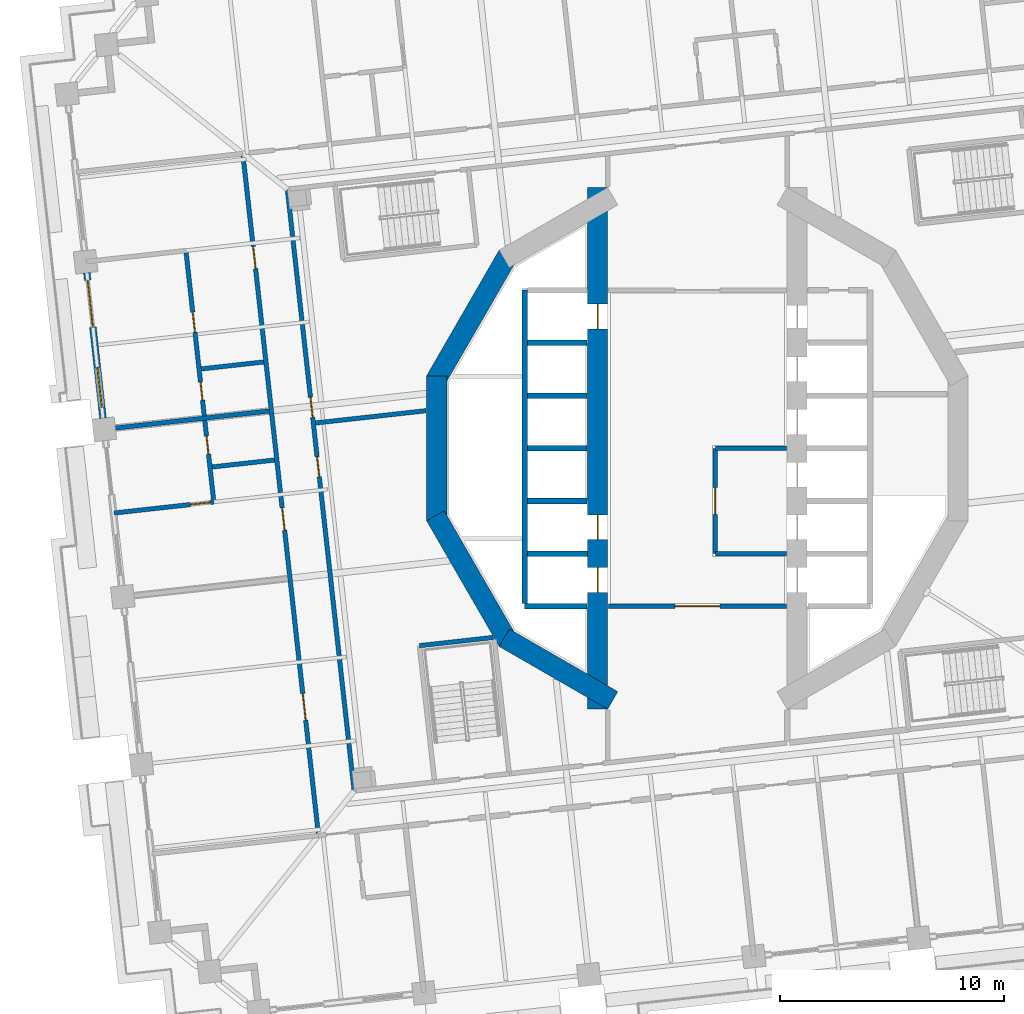
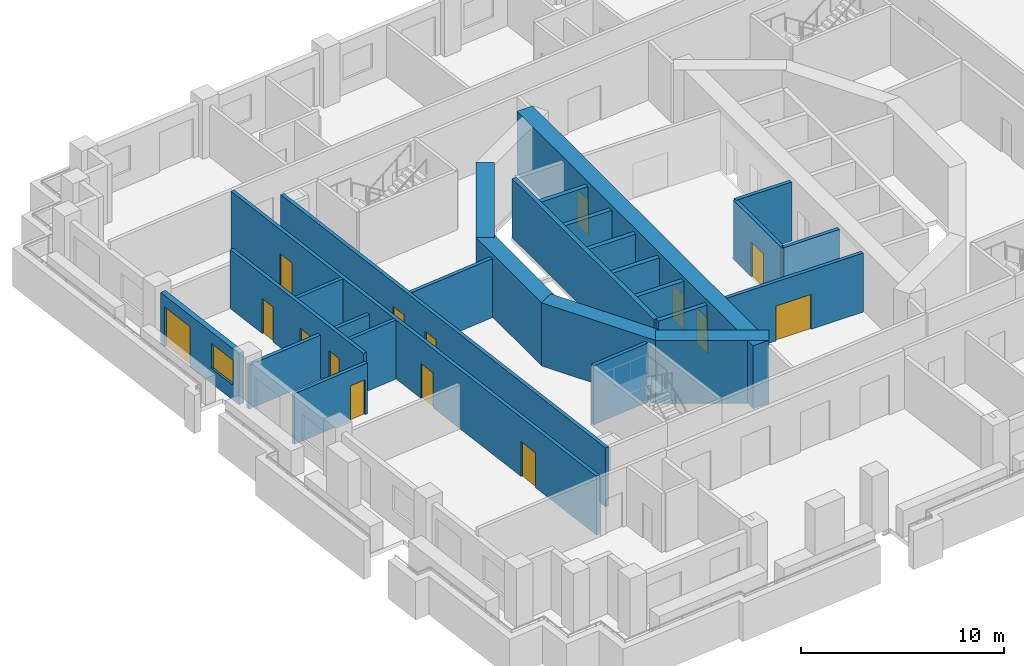
# One storey, part 5 of 18: 26 walls, 15 doors, 1 window, 16 openings.
"""IFC4 building model written with IfcOpenShell, lengths in metres."""

from ifc_helpers import new_model, si_unit, direction, frame, frame_2d, origin, place, context, subcontext, project, spatial, rectangle, extrude, material, layer, layer_set, type_object, element, fill, save


model = new_model("IFC4")

# Units and contexts
model_context = context("Model", 3, precision=1e-05, world=origin(), true_north=direction((0.0, 1.0)))
body_context = subcontext(model_context, "Body", "Model", "MODEL_VIEW")
ifc_project = project(units=[si_unit("LENGTHUNIT", "METRE"), si_unit("AREAUNIT", "SQUARE_METRE"), si_unit("VOLUMEUNIT", "CUBIC_METRE"), si_unit("PLANEANGLEUNIT", "RADIAN"), si_unit("MASSUNIT", "GRAM", prefix="KILO")], contexts=[model_context])

# Site, building, storey
site_placement = place(None, origin())
site = spatial("IfcSite", under=ifc_project, at=site_placement, CompositionType="ELEMENT")
building_placement = place(site_placement, origin())
building = spatial("IfcBuilding", under=site, at=building_placement, Name="Cantera Rosa Tower", CompositionType="ELEMENT")
storey_placement = place(building_placement, frame((0.0, 0.0, 76.699951171875)))
storey = spatial("IfcBuildingStorey", under=building, at=storey_placement, Name="L16", CompositionType="ELEMENT", Elevation=76.699951171875)

# Wall, openings, doors
ifc_material_1 = material(Name="Gypsum board partition")
ifc_layer_1 = layer(ifc_material_1, 0.199951171875)
ifc_layer_set_1 = layer_set([ifc_layer_1], Name="CORRIDOR WALL 200 H3550")
wall_type_1 = type_object("IfcWallType", Name="CORRIDOR WALL 200 H3550", PredefinedType="PARTITIONING", material=ifc_layer_set_1)
wall_1_placement = place(storey_placement, frame((-20.2626953125, 13.04443359375, 0.0), z_axis=(0.0, 0.0, 1.0), x_axis=(0.110312530755, -0.993896949164, 0.0)))
wall_1 = element("IfcWall", 1, at=wall_1_placement, inside=storey, type_object=wall_type_1, Name="CORRIDOR WALL L16-007", PredefinedType="PARTITIONING", context=body_context, shape_type="SweptSolid", body=[
    extrude(rectangle(XDim=30.400146484375, YDim=0.199951171875, at=frame_2d((15.2001953125, 0.0))), origin(), (0.0, 0.0, 1.0), 3.550048828125),
])
opening_1_placement = place(wall_1_placement, frame((24.1298828125, 0.0, 0.0)))
opening_1 = element("IfcOpeningElement", 2, at=opening_1_placement, cuts=wall_1, Name="Opening L16-030", PredefinedType="OPENING", context=body_context, shape_type="SweptSolid", body=[
    extrude(rectangle(XDim=1.199951171875, YDim=2.10009765625, at=frame_2d((0.60009765625, 1.050048828125))), frame((0.0, 0.10986328125, 0.0), z_axis=(0.0, -1.0, 0.0), x_axis=(1.0, 0.0, 0.0)), (0.0, 0.0, 1.0), 0.219970703125),
])
opening_2_placement = place(wall_1_placement, frame((4.070068359375, 0.0, 0.0)))
opening_2 = element("IfcOpeningElement", 3, at=opening_2_placement, cuts=wall_1, Name="Opening L16-031", PredefinedType="OPENING", context=body_context, shape_type="SweptSolid", body=[
    extrude(rectangle(XDim=1.0, YDim=2.10009765625, at=frame_2d((0.5, 1.050048828125))), frame((0.0, 0.10986328125, 0.0), z_axis=(0.0, -1.0, 0.0), x_axis=(1.0, 0.0, 0.0)), (0.0, 0.0, 1.0), 0.219970703125),
])
opening_3_placement = place(wall_1_placement, frame((15.800048828125, 0.0, 0.0)))
opening_3 = element("IfcOpeningElement", 4, at=opening_3_placement, cuts=wall_1, Name="Opening L16-034", PredefinedType="OPENING", context=body_context, shape_type="SweptSolid", body=[
    extrude(rectangle(XDim=1.0, YDim=2.10009765625, at=frame_2d((0.5, 1.050048828125))), frame((0.0, 0.10986328125, 0.0), z_axis=(0.0, -1.0, 0.0), x_axis=(1.0, 0.0, 0.0)), (0.0, 0.0, 1.0), 0.219970703125),
])
ifc_material_2 = material(Name="Timber door leaf", Category="wood")
door_type_1 = type_object("IfcDoorType", Name="ENTRANCE DOOR 1000x2100", OperationType="NOTDEFINED", PredefinedType="DOOR", material=ifc_material_2)
door_1_placement = place(opening_2_placement, origin())
door_1 = element("IfcDoor", 5, at=door_1_placement, inside=storey, type_object=door_type_1, Name="DOOR L16-031", OperationType="NOTDEFINED", OverallHeight=2.10009765625, OverallWidth=1.0, PredefinedType="DOOR", context=body_context, shape_type="SweptSolid", body=[
    extrude(rectangle(XDim=1.0, YDim=2.10009765625, at=frame_2d((0.5, 1.050048828125))), frame((0.0, 0.02490234375, 0.0), z_axis=(0.0, -1.0, 0.0), x_axis=(1.0, 0.0, 0.0)), (0.0, 0.0, 1.0), 0.050048828125),
])
fill(opening_2, door_1)
door_2_placement = place(opening_3_placement, origin())
door_2 = element("IfcDoor", 6, at=door_2_placement, inside=storey, type_object=door_type_1, Name="DOOR L16-034", OperationType="NOTDEFINED", OverallHeight=2.10009765625, OverallWidth=1.0, PredefinedType="DOOR", context=body_context, shape_type="SweptSolid", body=[
    extrude(rectangle(XDim=1.0, YDim=2.10009765625, at=frame_2d((0.5, 1.050048828125))), frame((0.0, 0.02490234375, 0.0), z_axis=(0.0, -1.0, 0.0), x_axis=(1.0, 0.0, 0.0)), (0.0, 0.0, 1.0), 0.050048828125),
])
fill(opening_3, door_2)
ifc_material_3 = material(Name="Timber door leaf", Category="wood")
door_type_2 = type_object("IfcDoorType", Name="ROOM DOOR 1200x2100", OperationType="NOTDEFINED", PredefinedType="DOOR", material=ifc_material_3)
door_3_placement = place(opening_1_placement, origin())
door_3 = element("IfcDoor", 7, at=door_3_placement, inside=storey, type_object=door_type_2, Name="DOOR L16-030", OperationType="NOTDEFINED", OverallHeight=2.10009765625, OverallWidth=1.199951171875, PredefinedType="DOOR", context=body_context, shape_type="SweptSolid", body=[
    extrude(rectangle(XDim=1.199951171875, YDim=2.10009765625, at=frame_2d((0.60009765625, 1.050048828125))), frame((0.0, 0.02490234375, 0.0), z_axis=(0.0, -1.0, 0.0), x_axis=(1.0, 0.0, 0.0)), (0.0, 0.0, 1.0), 0.050048828125),
])
fill(opening_1, door_3)

wall_2_placement = place(storey_placement, frame((-18.2861328125, 11.55322265625, 0.0), z_axis=(0.0, 0.0, 1.0), x_axis=(0.110315409641, -0.993896629633, 0.0)))
wall_2 = element("IfcWall", 8, at=wall_2_placement, inside=storey, type_object=wall_type_1, Name="CORRIDOR WALL L16-010", PredefinedType="PARTITIONING", context=body_context, shape_type="SweptSolid", body=[
    extrude(rectangle(XDim=27.0, YDim=0.199951171875, at=frame_2d((13.5, 0.0))), origin(), (0.0, 0.0, 1.0), 3.550048828125),
])
opening_4_placement = place(wall_2_placement, frame((9.330078125, 0.0, 0.0)))
opening_4 = element("IfcOpeningElement", 9, at=opening_4_placement, cuts=wall_2, Name="Opening L16-006", PredefinedType="OPENING", context=body_context, shape_type="SweptSolid", body=[
    extrude(rectangle(XDim=0.89990234375, YDim=2.10009765625, at=frame_2d((0.449951171875, 1.050048828125))), frame((0.0, 0.10986328125, 0.0), z_axis=(0.0, -1.0, 0.0), x_axis=(1.0, 0.0, 0.0)), (0.0, 0.0, 1.0), 0.219970703125),
])
opening_5_placement = place(wall_2_placement, frame((12.0, 0.0, 0.0)))
opening_5 = element("IfcOpeningElement", 10, at=opening_5_placement, cuts=wall_2, Name="Opening L16-007", PredefinedType="OPENING", context=body_context, shape_type="SweptSolid", body=[
    extrude(rectangle(XDim=0.89990234375, YDim=2.10009765625, at=frame_2d((0.449951171875, 1.050048828125))), frame((0.0, 0.10986328125, 0.0), z_axis=(0.0, -1.0, 0.0), x_axis=(1.0, 0.0, 0.0)), (0.0, 0.0, 1.0), 0.219970703125),
])
ifc_material_4 = material(Name="Timber door leaf", Category="wood")
door_type_3 = type_object("IfcDoorType", Name="SERVICE DOOR 900x2100", OperationType="NOTDEFINED", PredefinedType="DOOR", material=ifc_material_4)
door_4_placement = place(opening_4_placement, origin())
door_4 = element("IfcDoor", 11, at=door_4_placement, inside=storey, type_object=door_type_3, Name="DOOR L16-006", OperationType="NOTDEFINED", OverallHeight=2.10009765625, OverallWidth=0.89990234375, PredefinedType="DOOR", context=body_context, shape_type="SweptSolid", body=[
    extrude(rectangle(XDim=0.89990234375, YDim=2.10009765625, at=frame_2d((0.449951171875, 1.050048828125))), frame((0.0, 0.02490234375, 0.0), z_axis=(0.0, -1.0, 0.0), x_axis=(1.0, 0.0, 0.0)), (0.0, 0.0, 1.0), 0.050048828125),
])
fill(opening_4, door_4)
door_5_placement = place(opening_5_placement, origin())
door_5 = element("IfcDoor", 12, at=door_5_placement, inside=storey, type_object=door_type_3, Name="DOOR L16-007", OperationType="NOTDEFINED", OverallHeight=2.10009765625, OverallWidth=0.89990234375, PredefinedType="DOOR", context=body_context, shape_type="SweptSolid", body=[
    extrude(rectangle(XDim=0.89990234375, YDim=2.10009765625, at=frame_2d((0.449951171875, 1.050048828125))), frame((0.0, 0.02490234375, 0.0), z_axis=(0.0, -1.0, 0.0), x_axis=(1.0, 0.0, 0.0)), (0.0, 0.0, 1.0), 0.050048828125),
])
fill(opening_5, door_5)

# Wall, opening, door
wall_3_placement = place(storey_placement, frame((3.969970703125, -7.050048828125, 0.0), z_axis=(0.0, 0.0, 1.0), x_axis=(-1.0, 0.0, 0.0)))
wall_3 = element("IfcWall", 13, at=wall_3_placement, inside=storey, type_object=wall_type_1, Name="CORRIDOR WALL L16-056", PredefinedType="PARTITIONING", context=body_context, shape_type="SweptSolid", body=[
    extrude(rectangle(XDim=7.93994140625, YDim=0.199951171875, at=frame_2d((3.969970703125, 0.0))), origin(), (0.0, 0.0, 1.0), 3.550048828125),
])
opening_6_placement = place(wall_3_placement, frame((2.969970703125, 0.0, 0.0)))
opening_6 = element("IfcOpeningElement", 14, at=opening_6_placement, cuts=wall_3, Name="Opening L16-013", PredefinedType="OPENING", context=body_context, shape_type="SweptSolid", body=[
    extrude(rectangle(XDim=2.0, YDim=2.10009765625, at=frame_2d((1.0, 1.050048828125))), frame((0.0, 0.10986328125, 0.0), z_axis=(0.0, -1.0, 0.0), x_axis=(1.0, 0.0, 0.0)), (0.0, 0.0, 1.0), 0.219970703125),
])
ifc_material_5 = material(Name="Steel S355J2 (EN 10025-2)", Category="steel")
door_type_4 = type_object("IfcDoorType", Name="LOBBY SCREEN DOOR 2000x2100", OperationType="NOTDEFINED", PredefinedType="DOOR", material=ifc_material_5)
door_6_placement = place(opening_6_placement, origin())
door_6 = element("IfcDoor", 15, at=door_6_placement, inside=storey, type_object=door_type_4, Name="DOOR L16-013", OperationType="NOTDEFINED", OverallHeight=2.10009765625, OverallWidth=2.0, PredefinedType="DOOR", context=body_context, shape_type="SweptSolid", body=[
    extrude(rectangle(XDim=2.0, YDim=2.10009765625, at=frame_2d((1.0, 1.050048828125))), frame((0.0, 0.02490234375, 0.0), z_axis=(0.0, -1.0, 0.0), x_axis=(1.0, 0.0, 0.0)), (0.0, 0.0, 1.0), 0.050048828125),
])
fill(opening_6, door_6)

# Wall, openings, window, door
ifc_material_6 = material(Name="Hollow clay masonry with cantera stone cladding", Category="masonry")
ifc_layer_2 = layer(ifc_material_6, 0.300048828125)
ifc_layer_set_2 = layer_set([ifc_layer_2], Name="EW-LOGGIA 300 H3090")
wall_type_2 = type_object("IfcWallType", Name="EW-LOGGIA 300 H3090", PredefinedType="SOLIDWALL", material=ifc_layer_set_2)
wall_4_placement = place(storey_placement, frame((-27.229248046875, 7.823974609375, 0.0), z_axis=(0.0, 0.0, 1.0), x_axis=(0.110312341265, -0.993896970196, 0.0)))
wall_4 = element("IfcWall", 16, at=wall_4_placement, inside=storey, type_object=wall_type_2, Name="EN-L16-W17", PredefinedType="SOLIDWALL", context=body_context, shape_type="SweptSolid", body=[
    extrude(rectangle(XDim=6.52001953125, YDim=0.300048828125, at=frame_2d((3.260009765625, 0.0))), origin(), (0.0, 0.0, 1.0), 3.090087890625),
])
opening_7_placement = place(wall_4_placement, frame((0.330078125, 0.0, 0.0)))
opening_7 = element("IfcOpeningElement", 17, at=opening_7_placement, cuts=wall_4, Name="Opening L16-TD25", PredefinedType="OPENING", context=body_context, shape_type="SweptSolid", body=[
    extrude(rectangle(XDim=2.10009765625, YDim=2.39990234375, at=frame_2d((1.050048828125, 1.199951171875))), frame((0.0, 0.159912109375, 0.0), z_axis=(0.0, -1.0, 0.0), x_axis=(1.0, 0.0, 0.0)), (0.0, 0.0, 1.0), 0.320068359375),
])
opening_8_placement = place(wall_4_placement, frame((4.239990234375, 0.0, 0.89990234375)))
opening_8 = element("IfcOpeningElement", 18, at=opening_8_placement, cuts=wall_4, Name="Opening L16-W26", PredefinedType="OPENING", context=body_context, shape_type="SweptSolid", body=[
    extrude(rectangle(XDim=1.800048828125, YDim=1.5, at=frame_2d((0.89990234375, 0.75))), frame((0.0, 0.159912109375, 0.0), z_axis=(0.0, -1.0, 0.0), x_axis=(1.0, 0.0, 0.0)), (0.0, 0.0, 1.0), 0.320068359375),
])
ifc_material_7 = material(Name="Aluminium frame with clear glass", Category="aluminium")
window_type = type_object("IfcWindowType", Name="Hotel room window 1800x1500", PartitioningType="DOUBLE_PANEL_VERTICAL", PredefinedType="WINDOW", material=ifc_material_7)
window_placement = place(opening_8_placement, origin())
window = element("IfcWindow", 19, at=window_placement, inside=storey, type_object=window_type, Name="WINDOW L16-W26", OverallHeight=1.5, OverallWidth=1.800048828125, PartitioningType="SINGLE_PANEL", PredefinedType="WINDOW", context=body_context, shape_type="SweptSolid", body=[
    extrude(rectangle(XDim=1.800048828125, YDim=1.5, at=frame_2d((0.89990234375, 0.75))), frame((0.0, 0.030029296875, 0.0), z_axis=(0.0, -1.0, 0.0), x_axis=(1.0, 0.0, 0.0)), (0.0, 0.0, 1.0), 0.06005859375),
])
fill(opening_8, window)
ifc_material_8 = material(Name="Aluminium frame with clear glass", Category="aluminium")
door_type_5 = type_object("IfcDoorType", Name="TD-H 2100x2400", OperationType="NOTDEFINED", PredefinedType="DOOR", material=ifc_material_8)
door_7_placement = place(opening_7_placement, origin())
door_7 = element("IfcDoor", 20, at=door_7_placement, inside=storey, type_object=door_type_5, Name="LOGGIA DOOR L16-TD25", OperationType="SLIDING_TO_LEFT", OverallHeight=2.39990234375, OverallWidth=2.10009765625, PredefinedType="DOOR", context=body_context, shape_type="SweptSolid", body=[
    extrude(rectangle(XDim=2.10009765625, YDim=2.39990234375, at=frame_2d((1.050048828125, 1.199951171875))), frame((0.0, 0.02490234375, 0.0), z_axis=(0.0, -1.0, 0.0), x_axis=(1.0, 0.0, 0.0)), (0.0, 0.0, 1.0), 0.050048828125),
])
fill(opening_7, door_7)

# Wall, opening, door
ifc_material_9 = material(Name="Gypsum board partition")
ifc_layer_3 = layer(ifc_material_9, 0.199951171875)
ifc_layer_set_3 = layer_set([ifc_layer_3], Name="PARTITION 200 H3050")
wall_type_3 = type_object("IfcWallType", Name="PARTITION 200 H3050", PredefinedType="PARTITIONING", material=ifc_layer_set_3)
wall_5_placement = place(storey_placement, frame((-21.567626953125, -2.393798828125, 0.0), z_axis=(0.0, 0.0, 1.0), x_axis=(-0.993895052822, -0.11032961514, 0.0)))
wall_5 = element("IfcWall", 21, at=wall_5_placement, inside=storey, type_object=wall_type_3, Name="PARTITION L16-005", PredefinedType="PARTITIONING", context=body_context, shape_type="SweptSolid", body=[
    extrude(rectangle(XDim=4.469970703125, YDim=0.199951171875, at=frame_2d((2.23486328125, 0.0))), origin(), (0.0, 0.0, 1.0), 3.050048828125),
])
opening_9_placement = place(wall_5_placement, frame((0.14990234375, 0.0, 0.0)))
opening_9 = element("IfcOpeningElement", 22, at=opening_9_placement, cuts=wall_5, Name="Opening L16-035", PredefinedType="OPENING", context=body_context, shape_type="SweptSolid", body=[
    extrude(rectangle(XDim=0.89990234375, YDim=2.10009765625, at=frame_2d((0.449951171875, 1.050048828125))), frame((0.0, 0.10986328125, 0.0), z_axis=(0.0, -1.0, 0.0), x_axis=(1.0, 0.0, 0.0)), (0.0, 0.0, 1.0), 0.219970703125),
])
ifc_material_10 = material(Name="Timber door leaf", Category="wood")
door_type_6 = type_object("IfcDoorType", Name="ROOM DOOR 900x2100", OperationType="NOTDEFINED", PredefinedType="DOOR", material=ifc_material_10)
door_8_placement = place(opening_9_placement, origin())
door_8 = element("IfcDoor", 23, at=door_8_placement, inside=storey, type_object=door_type_6, Name="DOOR L16-035", OperationType="NOTDEFINED", OverallHeight=2.10009765625, OverallWidth=0.89990234375, PredefinedType="DOOR", context=body_context, shape_type="SweptSolid", body=[
    extrude(rectangle(XDim=0.89990234375, YDim=2.10009765625, at=frame_2d((0.449951171875, 1.050048828125))), frame((0.0, 0.02490234375, 0.0), z_axis=(0.0, -1.0, 0.0), x_axis=(1.0, 0.0, 0.0)), (0.0, 0.0, 1.0), 0.050048828125),
])
fill(opening_9, door_8)

# Wall, openings, doors
ifc_material_11 = material(Name="Gypsum board partition")
ifc_layer_4 = layer(ifc_material_11, 0.199951171875)
ifc_layer_set_4 = layer_set([ifc_layer_4], Name="PARTITION 200 H3550")
wall_type_4 = type_object("IfcWallType", Name="PARTITION 200 H3550", PredefinedType="PARTITIONING", material=ifc_layer_set_4)
wall_6_placement = place(storey_placement, frame((-22.80078125, 8.718017578125, 0.0), z_axis=(0.0, 0.0, 1.0), x_axis=(0.110303350434, -0.993897968045, 0.0)))
wall_6 = element("IfcWall", 24, at=wall_6_placement, inside=storey, type_object=wall_type_4, Name="PARTITION L16-003", PredefinedType="PARTITIONING", context=body_context, shape_type="SweptSolid", body=[
    extrude(rectangle(XDim=11.080078125, YDim=0.199951171875, at=frame_2d((5.5400390625, 0.0))), origin(), (0.0, 0.0, 1.0), 3.550048828125),
])
opening_10_placement = place(wall_6_placement, frame((2.659912109375, 0.0, 0.0)))
opening_10 = element("IfcOpeningElement", 25, at=opening_10_placement, cuts=wall_6, Name="Opening L16-032", PredefinedType="OPENING", context=body_context, shape_type="SweptSolid", body=[
    extrude(rectangle(XDim=0.89990234375, YDim=2.10009765625, at=frame_2d((0.449951171875, 1.050048828125))), frame((0.0, 0.10986328125, 0.0), z_axis=(0.0, -1.0, 0.0), x_axis=(1.0, 0.0, 0.0)), (0.0, 0.0, 1.0), 0.219970703125),
])
opening_11_placement = place(wall_6_placement, frame((5.81005859375, 0.0, 0.0)))
opening_11 = element("IfcOpeningElement", 26, at=opening_11_placement, cuts=wall_6, Name="Opening L16-033", PredefinedType="OPENING", context=body_context, shape_type="SweptSolid", body=[
    extrude(rectangle(XDim=0.800048828125, YDim=2.10009765625, at=frame_2d((0.39990234375, 1.050048828125))), frame((0.0, 0.10986328125, 0.0), z_axis=(0.0, -1.0, 0.0), x_axis=(1.0, 0.0, 0.0)), (0.0, 0.0, 1.0), 0.219970703125),
])
opening_12_placement = place(wall_6_placement, frame((8.22998046875, 0.0, 0.0)))
opening_12 = element("IfcOpeningElement", 27, at=opening_12_placement, cuts=wall_6, Name="Opening L16-036", PredefinedType="OPENING", context=body_context, shape_type="SweptSolid", body=[
    extrude(rectangle(XDim=0.800048828125, YDim=2.10009765625, at=frame_2d((0.39990234375, 1.050048828125))), frame((0.0, 0.10986328125, 0.0), z_axis=(0.0, -1.0, 0.0), x_axis=(1.0, 0.0, 0.0)), (0.0, 0.0, 1.0), 0.219970703125),
])
ifc_material_12 = material(Name="Timber door leaf", Category="wood")
door_type_7 = type_object("IfcDoorType", Name="BATHROOM DOOR 800x2100", OperationType="NOTDEFINED", PredefinedType="DOOR", material=ifc_material_12)
door_9_placement = place(opening_11_placement, origin())
door_9 = element("IfcDoor", 28, at=door_9_placement, inside=storey, type_object=door_type_7, Name="DOOR L16-033", OperationType="NOTDEFINED", OverallHeight=2.10009765625, OverallWidth=0.800048828125, PredefinedType="DOOR", context=body_context, shape_type="SweptSolid", body=[
    extrude(rectangle(XDim=0.800048828125, YDim=2.10009765625, at=frame_2d((0.39990234375, 1.050048828125))), frame((0.0, 0.02490234375, 0.0), z_axis=(0.0, -1.0, 0.0), x_axis=(1.0, 0.0, 0.0)), (0.0, 0.0, 1.0), 0.050048828125),
])
fill(opening_11, door_9)
door_10_placement = place(opening_12_placement, origin())
door_10 = element("IfcDoor", 29, at=door_10_placement, inside=storey, type_object=door_type_7, Name="DOOR L16-036", OperationType="NOTDEFINED", OverallHeight=2.10009765625, OverallWidth=0.800048828125, PredefinedType="DOOR", context=body_context, shape_type="SweptSolid", body=[
    extrude(rectangle(XDim=0.800048828125, YDim=2.10009765625, at=frame_2d((0.39990234375, 1.050048828125))), frame((0.0, 0.02490234375, 0.0), z_axis=(0.0, -1.0, 0.0), x_axis=(1.0, 0.0, 0.0)), (0.0, 0.0, 1.0), 0.050048828125),
])
fill(opening_12, door_10)
door_11_placement = place(opening_10_placement, origin())
door_11 = element("IfcDoor", 30, at=door_11_placement, inside=storey, type_object=door_type_6, Name="DOOR L16-032", OperationType="NOTDEFINED", OverallHeight=2.10009765625, OverallWidth=0.89990234375, PredefinedType="DOOR", context=body_context, shape_type="SweptSolid", body=[
    extrude(rectangle(XDim=0.89990234375, YDim=2.10009765625, at=frame_2d((0.449951171875, 1.050048828125))), frame((0.0, 0.02490234375, 0.0), z_axis=(0.0, -1.0, 0.0), x_axis=(1.0, 0.0, 0.0)), (0.0, 0.0, 1.0), 0.050048828125),
])
fill(opening_10, door_11)

# Walls
wall_7_placement = place(storey_placement, frame((-22.12548828125, 3.541015625, 0.0), z_axis=(0.0, 0.0, 1.0), x_axis=(0.993907107528, 0.11022096718, 0.0)))
element("IfcWall", 31, at=wall_7_placement, inside=storey, type_object=wall_type_4, Name="PARTITION L16-004", PredefinedType="PARTITIONING", context=body_context, shape_type="SweptSolid", body=[
    extrude(rectangle(XDim=2.7998046875, YDim=0.199951171875, at=frame_2d((1.39990234375, 0.0))), origin(), (0.0, 0.0, 1.0), 3.550048828125),
])
wall_8_placement = place(storey_placement, frame((-18.857421875, -0.5234375, 0.0), z_axis=(0.0, 0.0, 1.0), x_axis=(-0.993898612038, -0.110297547524, 0.0)))
element("IfcWall", 32, at=wall_8_placement, inside=storey, type_object=wall_type_4, Name="PARTITION L16-009", PredefinedType="PARTITIONING", context=body_context, shape_type="SweptSolid", body=[
    extrude(rectangle(XDim=2.800048828125, YDim=0.199951171875, at=frame_2d((1.39990234375, 0.0))), origin(), (0.0, 0.0, 1.0), 3.550048828125),
])
wall_9_placement = place(storey_placement, frame((-12.10400390625, 1.675048828125, 0.0), z_axis=(0.0, 0.0, 1.0), x_axis=(-0.993895146951, -0.11032876718, 0.0)))
element("IfcWall", 33, at=wall_9_placement, inside=storey, type_object=wall_type_4, Name="PARTITION L16-030", PredefinedType="PARTITIONING", context=body_context, shape_type="SweptSolid", body=[
    extrude(rectangle(XDim=4.95458984375, YDim=0.199951171875, at=frame_2d((2.477294921875, 0.0))), origin(), (0.0, 0.0, 1.0), 3.550048828125),
])
ifc_material_13 = material(Name="Gypsum board partition")
ifc_layer_5 = layer(ifc_material_13, 0.199951171875)
ifc_layer_set_5 = layer_set([ifc_layer_5], Name="PARTY WALL 200 H2650")
wall_type_5 = type_object("IfcWallType", Name="PARTY WALL 200 H2650", PredefinedType="PARTITIONING", material=ifc_layer_set_5)
wall_10_placement = place(storey_placement, frame((-19.10009765625, 1.6630859375, 0.0), z_axis=(0.0, 0.0, 1.0), x_axis=(-0.993897058864, -0.11031154238, 0.0)))
element("IfcWall", 34, at=wall_10_placement, inside=storey, type_object=wall_type_5, Name="PARTY WALL L16-008", PredefinedType="PARTITIONING", context=body_context, shape_type="SweptSolid", body=[
    extrude(rectangle(XDim=7.369873046875, YDim=0.199951171875, at=frame_2d((3.68505859375, 0.0))), origin(), (0.0, 0.0, 1.0), 2.650146484375),
])
ifc_material_14 = material(Name="Concrete C70/85", Category="concrete")
ifc_layer_6 = layer(ifc_material_14, 0.89990234375)
ifc_layer_set_6 = layer_set([ifc_layer_6], Name="RC CORE WALL 900 C70/85")
wall_type_6 = type_object("IfcWallType", Name="RC CORE WALL 900 C70/85", PredefinedType="SHEAR", material=ifc_layer_set_6)
wall_11_placement = place(storey_placement, frame((-3.77490234375, -11.242919921875, 0.0), z_axis=(0.0, 0.0, 1.0), x_axis=(-0.866026961591, 0.49999730179, 0.0)))
element("IfcWall", 35, at=wall_11_placement, inside=storey, type_object=wall_type_6, Name="CW-W1 L16", PredefinedType="SHEAR", context=body_context, shape_type="SweptSolid", body=[
    extrude(rectangle(XDim=5.58740234375, YDim=0.89990234375, at=frame_2d((2.793701171875, 0.0))), origin(), (0.0, 0.0, 1.0), 3.800048828125),
])
wall_12_placement = place(storey_placement, frame((-8.44921875, -8.61376953125, 0.0), z_axis=(0.0, 0.0, 1.0), x_axis=(-0.499990282633, 0.866031014036, 0.0)))
element("IfcWall", 36, at=wall_12_placement, inside=storey, type_object=wall_type_6, Name="CW-W2 L16", PredefinedType="SHEAR", context=body_context, shape_type="SweptSolid", body=[
    extrude(rectangle(XDim=6.470458984375, YDim=0.89990234375, at=frame_2d((3.2353515625, 0.0))), origin(), (0.0, 0.0, 1.0), 3.800048828125),
])
wall_13_placement = place(storey_placement, frame((-11.6240234375, -3.2353515625, 0.0), z_axis=(0.0, 0.0, 1.0), x_axis=(0.0, 1.0, 0.0)))
element("IfcWall", 37, at=wall_13_placement, inside=storey, type_object=wall_type_6, Name="CW-W3 L16", PredefinedType="SHEAR", context=body_context, shape_type="SweptSolid", body=[
    extrude(rectangle(XDim=6.470703125, YDim=0.89990234375, at=frame_2d((3.2353515625, 0.0))), origin(), (0.0, 0.0, 1.0), 3.800048828125),
])
wall_14_placement = place(storey_placement, frame((-11.684326171875, 3.01025390625, 0.0), z_axis=(0.0, 0.0, 1.0), x_axis=(0.499990282633, 0.866031014036, 0.0)))
element("IfcWall", 38, at=wall_14_placement, inside=storey, type_object=wall_type_6, Name="CW-W4 L16", PredefinedType="SHEAR", context=body_context, shape_type="SweptSolid", body=[
    extrude(rectangle(XDim=6.470458984375, YDim=0.89990234375, at=frame_2d((3.2353515625, 0.0))), origin(), (0.0, 0.0, 1.0), 3.800048828125),
])

# Wall, openings, doors
wall_15_placement = place(storey_placement, frame((-4.449951171875, 11.632568359375, 0.0), z_axis=(0.0, 0.0, 1.0), x_axis=(0.0, -1.0, 0.0)))
wall_15 = element("IfcWall", 39, at=wall_15_placement, inside=storey, type_object=wall_type_6, Name="CW-W6 L16", PredefinedType="SHEAR", context=body_context, shape_type="SweptSolid", body=[
    extrude(rectangle(XDim=23.26513671875, YDim=0.89990234375, at=frame_2d((11.632568359375, 0.0))), origin(), (0.0, 0.0, 1.0), 3.800048828125),
])
opening_13_placement = place(wall_15_placement, frame((14.607421875, 0.0, 0.0)))
opening_13 = element("IfcOpeningElement", 40, at=opening_13_placement, cuts=wall_15, Name="Opening LD-P3-L16", PredefinedType="OPENING", context=body_context, shape_type="SweptSolid", body=[
    extrude(rectangle(XDim=1.10009765625, YDim=2.10009765625, at=frame_2d((0.550048828125, 1.050048828125))), frame((0.0, 0.4599609375, 0.0), z_axis=(0.0, -1.0, 0.0), x_axis=(1.0, 0.0, 0.0)), (0.0, 0.0, 1.0), 0.919921875),
])
opening_14_placement = place(wall_15_placement, frame((16.95751953125, 0.0, 0.0)))
opening_14 = element("IfcOpeningElement", 41, at=opening_14_placement, cuts=wall_15, Name="Opening LD-P4-L16", PredefinedType="OPENING", context=body_context, shape_type="SweptSolid", body=[
    extrude(rectangle(XDim=1.10009765625, YDim=2.10009765625, at=frame_2d((0.550048828125, 1.050048828125))), frame((0.0, 0.4599609375, 0.0), z_axis=(0.0, -1.0, 0.0), x_axis=(1.0, 0.0, 0.0)), (0.0, 0.0, 1.0), 0.919921875),
])
opening_15_placement = place(wall_15_placement, frame((5.20751953125, 0.0, 0.0)))
opening_15 = element("IfcOpeningElement", 42, at=opening_15_placement, cuts=wall_15, Name="Opening LD-P5-L16", PredefinedType="OPENING", context=body_context, shape_type="SweptSolid", body=[
    extrude(rectangle(XDim=1.10009765625, YDim=2.10009765625, at=frame_2d((0.550048828125, 1.050048828125))), frame((0.0, 0.4599609375, 0.0), z_axis=(0.0, -1.0, 0.0), x_axis=(1.0, 0.0, 0.0)), (0.0, 0.0, 1.0), 0.919921875),
])
ifc_material_15 = material(Name="Steel S355J2 (EN 10025-2)", Category="steel")
door_type_8 = type_object("IfcDoorType", Name="LANDING DOOR 1100x2100", OperationType="NOTDEFINED", PredefinedType="DOOR", material=ifc_material_15)
door_12_placement = place(opening_13_placement, origin())
door_12 = element("IfcDoor", 43, at=door_12_placement, inside=storey, type_object=door_type_8, Name="LANDING DOOR P3 L16", OperationType="SLIDING_TO_LEFT", OverallHeight=2.10009765625, OverallWidth=1.10009765625, PredefinedType="DOOR", context=body_context, shape_type="SweptSolid", body=[
    extrude(rectangle(XDim=1.10009765625, YDim=2.10009765625, at=frame_2d((0.550048828125, 1.050048828125))), frame((0.0, 0.02490234375, 0.0), z_axis=(0.0, -1.0, 0.0), x_axis=(1.0, 0.0, 0.0)), (0.0, 0.0, 1.0), 0.050048828125),
])
fill(opening_13, door_12)
door_13_placement = place(opening_14_placement, origin())
door_13 = element("IfcDoor", 44, at=door_13_placement, inside=storey, type_object=door_type_8, Name="LANDING DOOR P4 L16", OperationType="SLIDING_TO_LEFT", OverallHeight=2.10009765625, OverallWidth=1.10009765625, PredefinedType="DOOR", context=body_context, shape_type="SweptSolid", body=[
    extrude(rectangle(XDim=1.10009765625, YDim=2.10009765625, at=frame_2d((0.550048828125, 1.050048828125))), frame((0.0, 0.02490234375, 0.0), z_axis=(0.0, -1.0, 0.0), x_axis=(1.0, 0.0, 0.0)), (0.0, 0.0, 1.0), 0.050048828125),
])
fill(opening_14, door_13)
door_14_placement = place(opening_15_placement, origin())
door_14 = element("IfcDoor", 45, at=door_14_placement, inside=storey, type_object=door_type_8, Name="LANDING DOOR P5 L16", OperationType="SLIDING_TO_LEFT", OverallHeight=2.10009765625, OverallWidth=1.10009765625, PredefinedType="DOOR", context=body_context, shape_type="SweptSolid", body=[
    extrude(rectangle(XDim=1.10009765625, YDim=2.10009765625, at=frame_2d((0.550048828125, 1.050048828125))), frame((0.0, 0.02490234375, 0.0), z_axis=(0.0, -1.0, 0.0), x_axis=(1.0, 0.0, 0.0)), (0.0, 0.0, 1.0), 0.050048828125),
])
fill(opening_15, door_14)

# Walls
ifc_material_16 = material(Name="Masonry blockwork", Category="masonry")
ifc_layer_7 = layer(ifc_material_16, 0.25)
ifc_layer_set_7 = layer_set([ifc_layer_7], Name="SHAFT WALL 250 H3550")
wall_type_7 = type_object("IfcWallType", Name="SHAFT WALL 250 H3550", PredefinedType="SOLIDWALL", material=ifc_layer_set_7)
wall_16_placement = place(storey_placement, frame((-7.699951171875, -7.050048828125, 0.0), z_axis=(0.0, 0.0, 1.0), x_axis=(1.0, 0.0, 0.0)))
element("IfcWall", 46, at=wall_16_placement, inside=storey, type_object=wall_type_7, Name="SHAFT WALL L16-037", PredefinedType="SOLIDWALL", context=body_context, shape_type="SweptSolid", body=[
    extrude(rectangle(XDim=2.77001953125, YDim=0.25, at=frame_2d((1.385009765625, 0.0))), origin(), (0.0, 0.0, 1.0), 3.550048828125),
])
wall_17_placement = place(storey_placement, frame((-7.574951171875, -4.699951171875, 0.0), z_axis=(0.0, 0.0, 1.0), x_axis=(1.0, 0.0, 0.0)))
element("IfcWall", 47, at=wall_17_placement, inside=storey, type_object=wall_type_7, Name="SHAFT WALL L16-038", PredefinedType="SOLIDWALL", context=body_context, shape_type="SweptSolid", body=[
    extrude(rectangle(XDim=2.675048828125, YDim=0.25, at=frame_2d((1.33740234375, 0.0))), origin(), (0.0, 0.0, 1.0), 3.550048828125),
])
for number, where, z_axis, x_axis, name in (
    (48, (-7.574951171875, -2.35009765625, 0.0), (0.0, 0.0, 1.0), (1.0, 0.0, 0.0), "SHAFT WALL L16-039"),
    (49, (-7.574951171875, 0.0, 0.0), (0.0, 0.0, 1.0), (1.0, 0.0, 0.0), "SHAFT WALL L16-040"),
    (50, (-7.574951171875, 2.35009765625, 0.0), (0.0, 0.0, 1.0), (1.0, 0.0, 0.0), "SHAFT WALL L16-041"),
    (51, (-7.574951171875, 4.699951171875, 0.0), (0.0, 0.0, 1.0), (1.0, 0.0, 0.0), "SHAFT WALL L16-042"),
):
    element("IfcWall", number, at=place(storey_placement, frame(where, z_axis=z_axis, x_axis=x_axis)), inside=storey, type_object=wall_type_7, Name=name, PredefinedType="SOLIDWALL", context=body_context, shape_type="SweptSolid", body=[
        extrude(rectangle(XDim=2.64501953125, YDim=0.25, at=frame_2d((1.322509765625, 0.0))), origin(), (0.0, 0.0, 1.0), 3.550048828125),
    ])
wall_18_placement = place(storey_placement, frame((-7.699951171875, 7.050048828125, 0.0), z_axis=(0.0, 0.0, 1.0), x_axis=(0.0, -1.0, 0.0)))
element("IfcWall", 52, at=wall_18_placement, inside=storey, type_object=wall_type_7, Name="SHAFT WALL L16-043", PredefinedType="SOLIDWALL", context=body_context, shape_type="SweptSolid", body=[
    extrude(rectangle(XDim=13.97998046875, YDim=0.25, at=frame_2d((6.989990234375, 0.0))), origin(), (0.0, 0.0, 1.0), 3.550048828125),
])
ifc_material_17 = material(Name="Concrete C50/60", Category="concrete")
ifc_layer_8 = layer(ifc_material_17, 0.199951171875)
ifc_layer_set_8 = layer_set([ifc_layer_8], Name="STAIR WALL 200 H3550")
wall_type_8 = type_object("IfcWallType", Name="STAIR WALL 200 H3550", PredefinedType="SOLIDWALL", material=ifc_layer_set_8)
wall_19_placement = place(storey_placement, frame((-9.10498046875, -8.437744140625, 0.0), z_axis=(0.0, 0.0, 1.0), x_axis=(-0.993897215684, -0.110310129436, 0.0)))
element("IfcWall", 53, at=wall_19_placement, inside=storey, type_object=wall_type_8, Name="STAIR WALL L16-034", PredefinedType="SOLIDWALL", context=body_context, shape_type="SweptSolid", body=[
    extrude(rectangle(XDim=3.31103515625, YDim=0.199951171875, at=frame_2d((1.655517578125, 0.0))), origin(), (0.0, 0.0, 1.0), 3.550048828125),
])

# Wall, opening, door
wall_20_placement = place(storey_placement, frame((0.800048828125, -4.699951171875, 0.0), z_axis=(0.0, 0.0, 1.0), x_axis=(0.0, 1.0, 0.0)))
wall_20 = element("IfcWall", 54, at=wall_20_placement, inside=storey, type_object=wall_type_8, Name="STAIR WALL L16-051", PredefinedType="SOLIDWALL", context=body_context, shape_type="SweptSolid", body=[
    extrude(rectangle(XDim=4.699951171875, YDim=0.199951171875, at=frame_2d((2.35009765625, 0.0))), origin(), (0.0, 0.0, 1.0), 3.550048828125),
])
opening_16_placement = place(wall_20_placement, frame((1.75, 0.0, 0.0)))
opening_16 = element("IfcOpeningElement", 55, at=opening_16_placement, cuts=wall_20, Name="Opening L16-014", PredefinedType="OPENING", context=body_context, shape_type="SweptSolid", body=[
    extrude(rectangle(XDim=1.199951171875, YDim=2.10009765625, at=frame_2d((0.60009765625, 1.050048828125))), frame((0.0, 0.10986328125, 0.0), z_axis=(0.0, -1.0, 0.0), x_axis=(1.0, 0.0, 0.0)), (0.0, 0.0, 1.0), 0.219970703125),
])
ifc_material_18 = material(Name="Steel S355J2 (EN 10025-2)", Category="steel")
door_type_9 = type_object("IfcDoorType", Name="FIRE DOOR 1200x2100", OperationType="NOTDEFINED", PredefinedType="DOOR", material=ifc_material_18)
door_15_placement = place(opening_16_placement, origin())
door_15 = element("IfcDoor", 56, at=door_15_placement, inside=storey, type_object=door_type_9, Name="DOOR L16-014", OperationType="NOTDEFINED", OverallHeight=2.10009765625, OverallWidth=1.199951171875, PredefinedType="DOOR", context=body_context, shape_type="SweptSolid", body=[
    extrude(rectangle(XDim=1.199951171875, YDim=2.10009765625, at=frame_2d((0.60009765625, 1.050048828125))), frame((0.0, 0.02490234375, 0.0), z_axis=(0.0, -1.0, 0.0), x_axis=(1.0, 0.0, 0.0)), (0.0, 0.0, 1.0), 0.050048828125),
])
fill(opening_16, door_15)

# Walls
for number, where, z_axis, x_axis, name in (
    (57, (0.800048828125, 0.0, 0.0), (0.0, 0.0, 1.0), (1.0, 0.0, 0.0), "STAIR WALL L16-052"),
    (58, (3.969970703125, -4.699951171875, 0.0), (0.0, 0.0, 1.0), (-1.0, 0.0, 0.0), "STAIR WALL L16-057"),
):
    element("IfcWall", number, at=place(storey_placement, frame(where, z_axis=z_axis, x_axis=x_axis)), inside=storey, type_object=wall_type_8, Name=name, PredefinedType="SOLIDWALL", context=body_context, shape_type="SweptSolid", body=[
        extrude(rectangle(XDim=3.169921875, YDim=0.199951171875, at=frame_2d((1.5849609375, 0.0))), origin(), (0.0, 0.0, 1.0), 3.550048828125),
    ])

save(model, "model.ifc")
